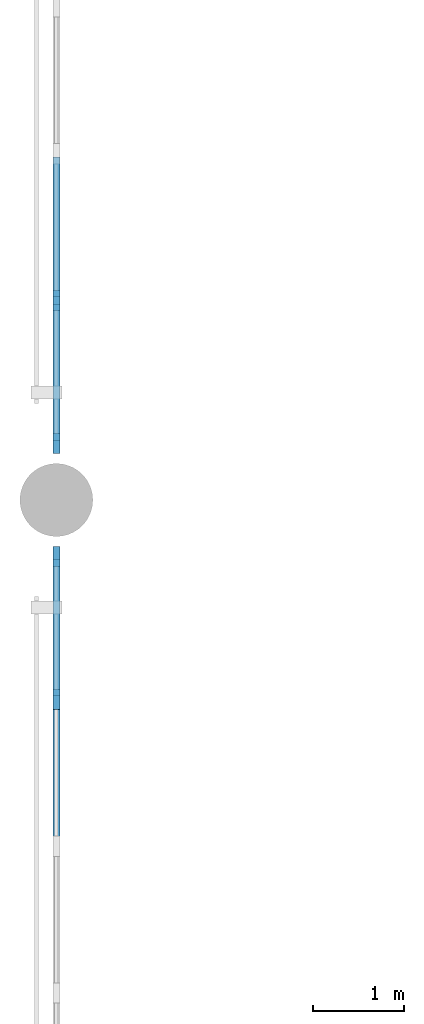
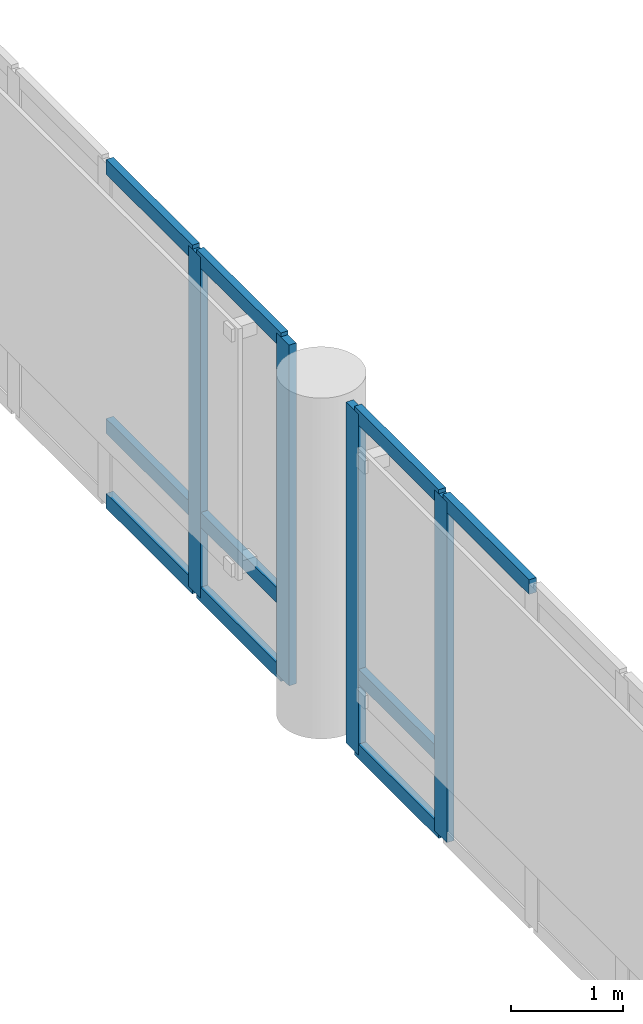
# One storey, part 6 of 49: 14 members, 2 elements without a shape of their own.
"""IFC4 building model written with IfcOpenShell, lengths in metres."""

from ifc_helpers import new_model, si_unit, direction, frame, origin, origin_2d, place, context, subcontext, project, spatial, rectangle, extrude, material, material_profile, profile_set, type_object, element, aggregate, save


model = new_model("IFC4")

# Units and contexts
model_context = context("Model", 3, precision=1e-05, world=origin(), true_north=direction((0.0, 1.0)))
body_context = subcontext(model_context, "Body", "Model", "MODEL_VIEW")
ifc_project = project(units=[si_unit("LENGTHUNIT", "METRE"), si_unit("AREAUNIT", "SQUARE_METRE"), si_unit("VOLUMEUNIT", "CUBIC_METRE"), si_unit("PLANEANGLEUNIT", "RADIAN"), si_unit("MASSUNIT", "GRAM", prefix="KILO")], contexts=[model_context])

# Site, building, storey
site_placement = place(None, origin())
site = spatial("IfcSite", under=ifc_project, at=site_placement, CompositionType="ELEMENT")
building_placement = place(site_placement, origin())
building = spatial("IfcBuilding", under=site, at=building_placement, Name="Qandaris Square Conservatory and Botanical Centre", CompositionType="ELEMENT")
storey_placement = place(building_placement, frame((0.0, 0.0, 10.199951171875)))
storey = spatial("IfcBuildingStorey", under=building, at=storey_placement, Name="L02", CompositionType="ELEMENT", Elevation=10.199951171875)

# Curtain wall, members
ifc_material = material(Name="Anodised Aluminium", Category="aluminium")
curtain_wall_type = type_object("IfcCurtainWallType", Name="Unitised Curtain Wall CW-2-644x370", PredefinedType="USERDEFINED", material=ifc_material)
curtain_wall_1_placement = place(storey_placement, origin())
curtain_wall_1 = element("IfcCurtainWall", 1, at=curtain_wall_1_placement, inside=storey, type_object=curtain_wall_type, Name="Curtain Wall CW-CON-L02-7-4", ObjectType="GLAZED CURTAIN WALL", PredefinedType="USERDEFINED")
ifc_material_profile_1 = material_profile(ifc_material, rectangle(XDim=0.074951171875, YDim=0.219970703125, at=origin_2d()), Name="ALU-MUL 75x220")
ifc_profile_set_1 = profile_set([ifc_material_profile_1], Name="Anodised Aluminium")
member_type_1 = type_object("IfcMemberType", Name="Conservatory Heavy Mullion 75x220", PredefinedType="MULLION", material=ifc_profile_set_1)
member_1_placement = place(storey_placement, frame((16.199951171875, 79.590087890625, 0.0), z_axis=(0.0, 0.0, 1.0), x_axis=(1.0, 0.0, 0.0)))
member_1 = element("IfcMember", 2, at=member_1_placement, type_object=member_type_1, Name="CW-2-644x370 mullion 4", PredefinedType="MULLION", context=body_context, shape_type="SweptSolid", body=[
    extrude(rectangle(XDim=0.074951171875, YDim=0.219970703125, at=origin_2d()), origin(), (0.0, 0.0, 1.0), 3.699951171875),
])
member_2_placement = place(storey_placement, frame((16.199951171875, 78.017578125, 0.0), z_axis=(0.0, 0.0, 1.0), x_axis=(1.0, 0.0, 0.0)))
member_2 = element("IfcMember", 3, at=member_2_placement, type_object=member_type_1, Name="CW-2-644x370 mullion 5", PredefinedType="MULLION", context=body_context, shape_type="SweptSolid", body=[
    extrude(rectangle(XDim=0.074951171875, YDim=0.219970703125, at=origin_2d()), origin(), (0.0, 0.0, 1.0), 3.699951171875),
])

curtain_wall_2_placement = place(storey_placement, origin())
curtain_wall_2 = element("IfcCurtainWall", 4, at=curtain_wall_2_placement, inside=storey, type_object=curtain_wall_type, Name="Curtain Wall CW-CON-L02-7-5", ObjectType="GLAZED CURTAIN WALL", PredefinedType="USERDEFINED")
member_3_placement = place(storey_placement, frame((16.199951171875, 76.782470703125, 0.0), z_axis=(0.0, 0.0, 1.0), x_axis=(1.0, 0.0, 0.0)))
member_3 = element("IfcMember", 5, at=member_3_placement, type_object=member_type_1, Name="CW-2-644x370 mullion 1", PredefinedType="MULLION", context=body_context, shape_type="SweptSolid", body=[
    extrude(rectangle(XDim=0.074951171875, YDim=0.219970703125, at=origin_2d()), origin(), (0.0, 0.0, 1.0), 3.699951171875),
])
member_4_placement = place(storey_placement, frame((16.199951171875, 75.2099609375, 0.0), z_axis=(0.0, 0.0, 1.0), x_axis=(1.0, 0.0, 0.0)))
member_4 = element("IfcMember", 6, at=member_4_placement, type_object=member_type_1, Name="CW-2-644x370 mullion 2", PredefinedType="MULLION", context=body_context, shape_type="SweptSolid", body=[
    extrude(rectangle(XDim=0.074951171875, YDim=0.219970703125, at=origin_2d()), origin(), (0.0, 0.0, 1.0), 3.699951171875),
])

# Member
ifc_material_profile_2 = material_profile(ifc_material, rectangle(XDim=0.074951171875, YDim=0.159912109375, at=origin_2d()), Name="ALU-TRN 75x160")
ifc_profile_set_2 = profile_set([ifc_material_profile_2], Name="Anodised Aluminium")
member_type_2 = type_object("IfcMemberType", Name="Conservatory Heavy Transom 75x160", PredefinedType="USERDEFINED", material=ifc_profile_set_2)
member_5_placement = place(storey_placement, frame((16.199951171875, 81.16259765625, 0.03759765625), z_axis=(0.0, -1.0, 0.0), x_axis=(1.0, 0.0, 0.0)))
member_5 = element("IfcMember", 7, at=member_5_placement, type_object=member_type_2, Name="CW-2-644x370 transom 3.1", ObjectType="TRANSOM", PredefinedType="USERDEFINED", context=body_context, shape_type="SweptSolid", body=[
    extrude(rectangle(XDim=0.074951171875, YDim=0.159912109375, at=origin_2d()), origin(), (0.0, 0.0, 1.0), 1.53515625),
])

member_6_placement = place(storey_placement, frame((16.199951171875, 81.16259765625, 0.85009765625), z_axis=(0.0, -1.0, 0.0), x_axis=(1.0, 0.0, 0.0)))
member_6 = element("IfcMember", 8, at=member_6_placement, type_object=member_type_2, Name="CW-2-644x370 transom 3.2", ObjectType="TRANSOM", PredefinedType="USERDEFINED", context=body_context, shape_type="SweptSolid", body=[
    extrude(rectangle(XDim=0.074951171875, YDim=0.159912109375, at=origin_2d()), origin(), (0.0, 0.0, 1.0), 1.53515625),
])

member_7_placement = place(storey_placement, frame((16.199951171875, 81.16259765625, 3.66259765625), z_axis=(0.0, -1.0, 0.0), x_axis=(1.0, 0.0, 0.0)))
member_7 = element("IfcMember", 9, at=member_7_placement, type_object=member_type_2, Name="CW-2-644x370 transom 3.3", ObjectType="TRANSOM", PredefinedType="USERDEFINED", context=body_context, shape_type="SweptSolid", body=[
    extrude(rectangle(XDim=0.074951171875, YDim=0.159912109375, at=origin_2d()), origin(), (0.0, 0.0, 1.0), 1.53515625),
])

member_8_placement = place(storey_placement, frame((16.199951171875, 79.552490234375, 0.03759765625), z_axis=(0.0, -1.0, 0.0), x_axis=(1.0, 0.0, 0.0)))
member_8 = element("IfcMember", 10, at=member_8_placement, type_object=member_type_2, Name="CW-2-644x370 transom 4.1", ObjectType="TRANSOM", PredefinedType="USERDEFINED", context=body_context, shape_type="SweptSolid", body=[
    extrude(rectangle(XDim=0.074951171875, YDim=0.159912109375, at=origin_2d()), origin(), (0.0, 0.0, 1.0), 1.49755859375),
])

member_9_placement = place(storey_placement, frame((16.199951171875, 79.552490234375, 0.85009765625), z_axis=(0.0, -1.0, 0.0), x_axis=(1.0, 0.0, 0.0)))
member_9 = element("IfcMember", 11, at=member_9_placement, type_object=member_type_2, Name="CW-2-644x370 transom 4.2", ObjectType="TRANSOM", PredefinedType="USERDEFINED", context=body_context, shape_type="SweptSolid", body=[
    extrude(rectangle(XDim=0.074951171875, YDim=0.159912109375, at=origin_2d()), origin(), (0.0, 0.0, 1.0), 1.49755859375),
])

member_10_placement = place(storey_placement, frame((16.199951171875, 79.552490234375, 3.66259765625), z_axis=(0.0, -1.0, 0.0), x_axis=(1.0, 0.0, 0.0)))
member_10 = element("IfcMember", 12, at=member_10_placement, type_object=member_type_2, Name="CW-2-644x370 transom 4.3", ObjectType="TRANSOM", PredefinedType="USERDEFINED", context=body_context, shape_type="SweptSolid", body=[
    extrude(rectangle(XDim=0.074951171875, YDim=0.159912109375, at=origin_2d()), origin(), (0.0, 0.0, 1.0), 1.49755859375),
])

aggregate(curtain_wall_1, [member_1, member_2, member_5, member_6, member_7, member_8, member_9, member_10])

member_11_placement = place(storey_placement, frame((16.199951171875, 76.7451171875, 0.03759765625), z_axis=(0.0, -1.0, 0.0), x_axis=(1.0, 0.0, 0.0)))
member_11 = element("IfcMember", 13, at=member_11_placement, type_object=member_type_2, Name="CW-2-644x370 transom 1.1", ObjectType="TRANSOM", PredefinedType="USERDEFINED", context=body_context, shape_type="SweptSolid", body=[
    extrude(rectangle(XDim=0.074951171875, YDim=0.159912109375, at=origin_2d()), origin(), (0.0, 0.0, 1.0), 1.49755859375),
])

member_12_placement = place(storey_placement, frame((16.199951171875, 76.7451171875, 0.85009765625), z_axis=(0.0, -1.0, 0.0), x_axis=(1.0, 0.0, 0.0)))
member_12 = element("IfcMember", 14, at=member_12_placement, type_object=member_type_2, Name="CW-2-644x370 transom 1.2", ObjectType="TRANSOM", PredefinedType="USERDEFINED", context=body_context, shape_type="SweptSolid", body=[
    extrude(rectangle(XDim=0.074951171875, YDim=0.159912109375, at=origin_2d()), origin(), (0.0, 0.0, 1.0), 1.49755859375),
])

member_13_placement = place(storey_placement, frame((16.199951171875, 76.7451171875, 3.66259765625), z_axis=(0.0, -1.0, 0.0), x_axis=(1.0, 0.0, 0.0)))
member_13 = element("IfcMember", 15, at=member_13_placement, type_object=member_type_2, Name="CW-2-644x370 transom 1.3", ObjectType="TRANSOM", PredefinedType="USERDEFINED", context=body_context, shape_type="SweptSolid", body=[
    extrude(rectangle(XDim=0.074951171875, YDim=0.159912109375, at=origin_2d()), origin(), (0.0, 0.0, 1.0), 1.49755859375),
])

member_14_placement = place(storey_placement, frame((16.199951171875, 75.172607421875, 3.66259765625), z_axis=(0.0, -1.0, 0.0), x_axis=(1.0, 0.0, 0.0)))
member_14 = element("IfcMember", 16, at=member_14_placement, type_object=member_type_2, Name="CW-2-644x370 transom 2.3", ObjectType="TRANSOM", PredefinedType="USERDEFINED", context=body_context, shape_type="SweptSolid", body=[
    extrude(rectangle(XDim=0.074951171875, YDim=0.159912109375, at=origin_2d()), origin(), (0.0, 0.0, 1.0), 1.53515625),
])

aggregate(curtain_wall_2, [member_3, member_4, member_11, member_12, member_13, member_14])

save(model, "model.ifc")
